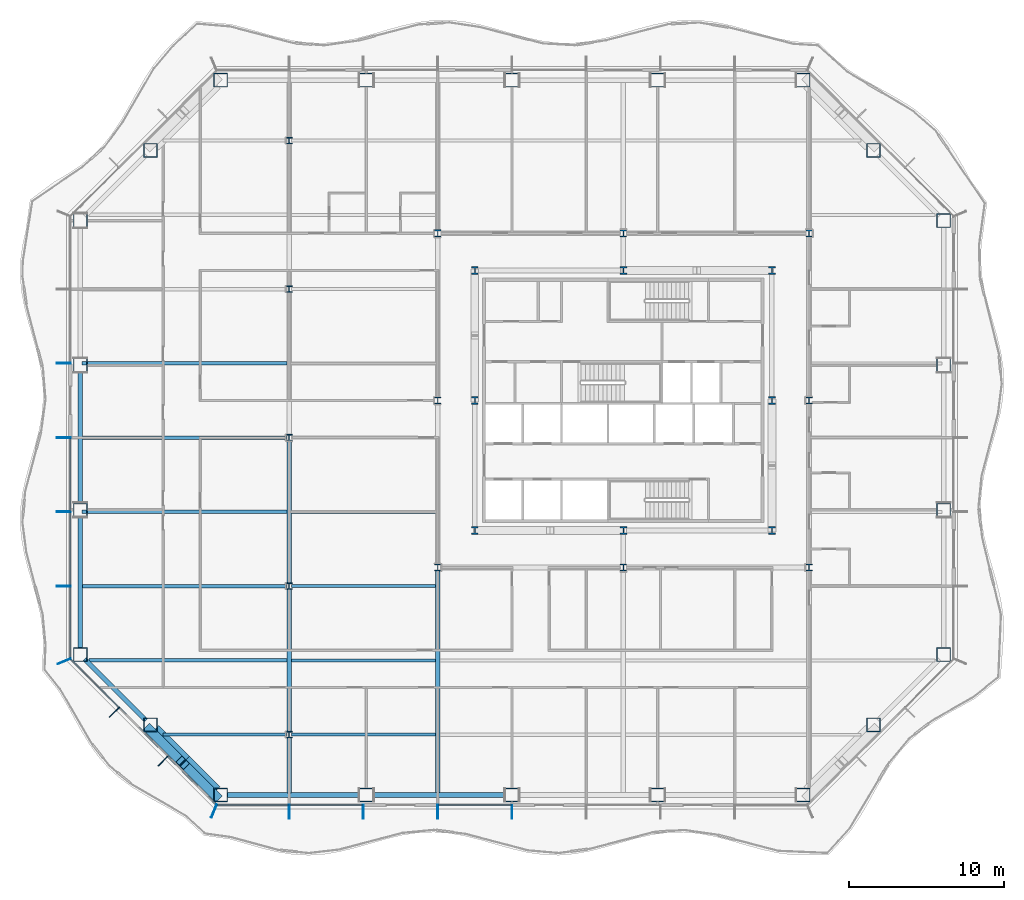
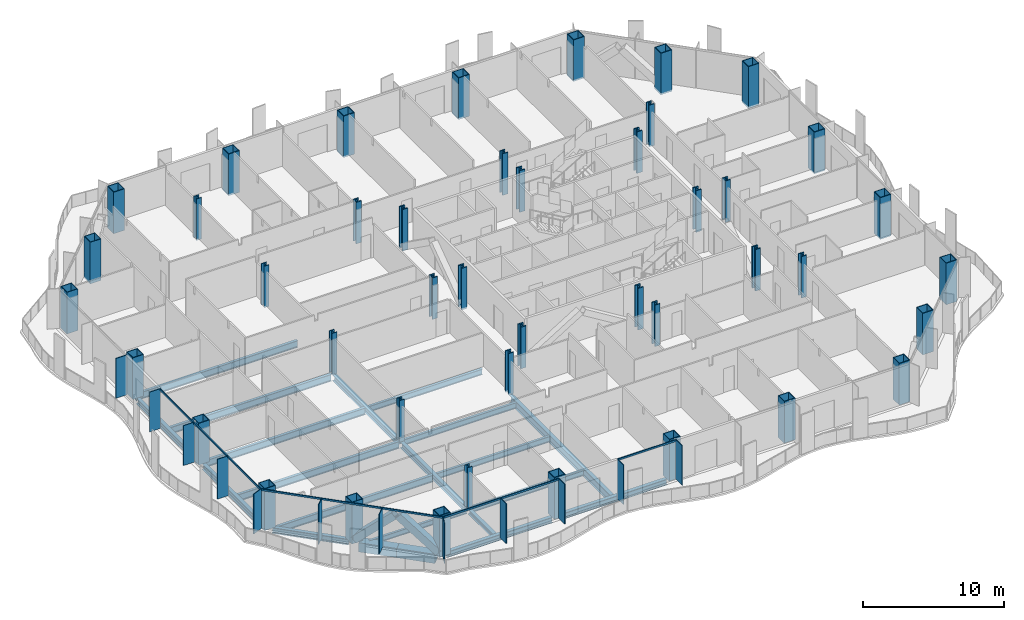
# One storey, part 1 of 21: 43 columns, 23 members, 21 beams, 3 elements without a shape of their own.
"""IFC4 building model written with IfcOpenShell, lengths in metres."""

from ifc_helpers import new_model, si_unit, direction, frame, origin, origin_2d, place, context, subcontext, project, spatial, rectangle, hollow_rectangle, i_section, extrude, material, material_profile, profile_set, type_object, element, aggregate, save


model = new_model("IFC4")

# Units and contexts
model_context = context("Model", 3, precision=1e-05, world=origin(), true_north=direction((0.0, 1.0)))
body_context = subcontext(model_context, "Body", "Model", "MODEL_VIEW")
ifc_project = project(units=[si_unit("LENGTHUNIT", "METRE"), si_unit("AREAUNIT", "SQUARE_METRE"), si_unit("VOLUMEUNIT", "CUBIC_METRE"), si_unit("PLANEANGLEUNIT", "RADIAN"), si_unit("MASSUNIT", "GRAM", prefix="KILO")], contexts=[model_context])

# Site, building, storey
site_placement = place(None, origin())
site = spatial("IfcSite", under=ifc_project, at=site_placement, CompositionType="ELEMENT")
building_placement = place(site_placement, origin())
building = spatial("IfcBuilding", under=site, at=building_placement, Name="Cairn Pilgrim Tower", CompositionType="ELEMENT")
storey_placement = place(building_placement, frame((0.0, 0.0, 69.0)))
storey = spatial("IfcBuildingStorey", under=building, at=storey_placement, Name="L15", CompositionType="ELEMENT", Elevation=69.0)

# Columns
ifc_material_1 = material(Name="Structural steel S460M", Category="steel")
ifc_material_profile_1 = material_profile(ifc_material_1, hollow_rectangle(XDim=0.89990234375, YDim=0.89990234375, WallThickness=0.050048828125, at=origin_2d()), Name="BOX 900x900x50")
ifc_profile_set_1 = profile_set([ifc_material_profile_1], Name="Structural steel S460M")
column_type_1 = type_object("IfcColumnType", Name="BOX 900x900x50", PredefinedType="COLUMN", material=ifc_profile_set_1)
for number, where, z_axis, x_axis, name in (
    (1, (-18.8271484375, -23.10009765625, -0.14990234375), (0.0, 0.0, 1.0), (1.0, 0.0, 0.0), "PC1-S1"),
    (2, (-9.41357421875, -23.10009765625, -0.14990234375), (0.0, 0.0, 1.0), (1.0, 0.0, 0.0), "PC1-S2"),
    (3, (0.0, -23.10009765625, -0.14990234375), (0.0, 0.0, 1.0), (1.0, 0.0, 0.0), "PC1-S3"),
    (4, (9.41357421875, -23.10009765625, -0.14990234375), (0.0, 0.0, 1.0), (1.0, 0.0, 0.0), "PC1-S4"),
    (5, (18.8271484375, -23.10009765625, -0.14990234375), (0.0, 0.0, 1.0), (1.0, 0.0, 0.0), "PC1-SE1"),
    (6, (23.363525390625, -18.563720703125, -0.14990234375), (0.0, 0.0, 1.0), (1.0, 0.0, 0.0), "PC1-SE2"),
    (7, (27.89990234375, -14.027099609375, -0.14990234375), (0.0, 0.0, 1.0), (1.0, 0.0, 0.0), "PC1-E1"),
    (8, (27.89990234375, -4.67578125, -0.14990234375), (0.0, 0.0, 1.0), (1.0, 0.0, 0.0), "PC1-E2"),
    (9, (27.89990234375, 4.67578125, -0.14990234375), (0.0, 0.0, 1.0), (1.0, 0.0, 0.0), "PC1-E3"),
    (10, (27.89990234375, 14.027099609375, -0.14990234375), (0.0, 0.0, 1.0), (1.0, 0.0, 0.0), "PC1-NE1"),
    (11, (23.363525390625, 18.563720703125, -0.14990234375), (0.0, 0.0, 1.0), (1.0, 0.0, 0.0), "PC1-NE2"),
    (12, (18.8271484375, 23.10009765625, -0.14990234375), (0.0, 0.0, 1.0), (1.0, 0.0, 0.0), "PC1-N1"),
    (13, (9.41357421875, 23.10009765625, -0.14990234375), (0.0, 0.0, 1.0), (1.0, 0.0, 0.0), "PC1-N2"),
    (14, (0.0, 23.10009765625, -0.14990234375), (0.0, 0.0, 1.0), (1.0, 0.0, 0.0), "PC1-N3"),
    (15, (-9.41357421875, 23.10009765625, -0.14990234375), (0.0, 0.0, 1.0), (1.0, 0.0, 0.0), "PC1-N4"),
    (16, (-18.8271484375, 23.10009765625, -0.14990234375), (0.0, 0.0, 1.0), (1.0, 0.0, 0.0), "PC1-NW1"),
    (17, (-23.363525390625, 18.563720703125, -0.14990234375), (0.0, 0.0, 1.0), (1.0, 0.0, 0.0), "PC1-NW2"),
    (18, (-27.89990234375, 14.027099609375, -0.14990234375), (0.0, 0.0, 1.0), (1.0, 0.0, 0.0), "PC1-W1"),
    (19, (-27.89990234375, 4.67578125, -0.14990234375), (0.0, 0.0, 1.0), (1.0, 0.0, 0.0), "PC1-W2"),
    (20, (-27.89990234375, -4.67578125, -0.14990234375), (0.0, 0.0, 1.0), (1.0, 0.0, 0.0), "PC1-W3"),
    (21, (-27.89990234375, -14.027099609375, -0.14990234375), (0.0, 0.0, 1.0), (1.0, 0.0, 0.0), "PC1-SW1"),
    (22, (-23.363525390625, -18.563720703125, -0.14990234375), (0.0, 0.0, 1.0), (1.0, 0.0, 0.0), "PC1-SW2"),
):
    element("IfcColumn", number, at=place(storey_placement, frame(where, z_axis=z_axis, x_axis=x_axis)), inside=storey, type_object=column_type_1, Name=name, PredefinedType="COLUMN", context=body_context, shape_type="SweptSolid", body=[
        extrude(hollow_rectangle(XDim=0.89990234375, YDim=0.89990234375, WallThickness=0.050048828125, at=origin_2d()), origin(), (0.0, 0.0, 1.0), 3.599853515625),
    ])
ifc_material_profile_2 = material_profile(ifc_material_1, i_section(OverallWidth=0.408935546875, OverallDepth=0.425048828125, WebThickness=0.03271484375, FlangeThickness=0.052490234375, FilletRadius=0.014892578125, at=origin_2d()), Name="HD 400x421")
ifc_profile_set_2 = profile_set([ifc_material_profile_2], Name="Structural steel S460M")
column_type_2 = type_object("IfcColumnType", Name="HD 400x421", PredefinedType="COLUMN", material=ifc_profile_set_2)
for number, where, z_axis, x_axis, name in (
    (23, (-14.39990234375, -19.199951171875, -0.14990234375), (0.0, 0.0, 1.0), (1.0, 0.0, 0.0), "WC-WW-4"),
    (24, (-14.39990234375, -9.60009765625, -0.14990234375), (0.0, 0.0, 1.0), (1.0, 0.0, 0.0), "WC-WW-2"),
    (25, (-14.39990234375, 0.0, -0.14990234375), (0.0, 0.0, 1.0), (1.0, 0.0, 0.0), "WC-WW+0"),
    (26, (-14.39990234375, 9.60009765625, -0.14990234375), (0.0, 0.0, 1.0), (1.0, 0.0, 0.0), "WC-WW+2"),
    (27, (-14.39990234375, 19.199951171875, -0.14990234375), (0.0, 0.0, 1.0), (1.0, 0.0, 0.0), "WC-WW+4"),
):
    element("IfcColumn", number, at=place(storey_placement, frame(where, z_axis=z_axis, x_axis=x_axis)), inside=storey, type_object=column_type_2, Name=name, PredefinedType="COLUMN", context=body_context, shape_type="SweptSolid", body=[
        extrude(i_section(OverallWidth=0.408935546875, OverallDepth=0.425048828125, WebThickness=0.03271484375, FlangeThickness=0.052490234375, FilletRadius=0.014892578125, at=origin_2d()), origin(), (0.0, 0.0, 1.0), 3.599853515625),
    ])
ifc_material_profile_3 = material_profile(ifc_material_1, i_section(OverallWidth=0.424072265625, OverallDepth=0.47412109375, WebThickness=0.047607421875, FlangeThickness=0.0771484375, FilletRadius=0.014892578125, at=origin_2d()), Name="HD 400x634")
ifc_profile_set_3 = profile_set([ifc_material_profile_3], Name="Structural steel S460M")
column_type_3 = type_object("IfcColumnType", Name="HD 400x634", PredefinedType="COLUMN", material=ifc_profile_set_3)
for number, where, z_axis, x_axis, name in (
    (28, (-4.800048828125, -8.39990234375, -0.14990234375), (0.0, 0.0, 1.0), (1.0, 0.0, 0.0), "IC-1"),
    (29, (7.199951171875, -8.39990234375, -0.14990234375), (0.0, 0.0, 1.0), (1.0, 0.0, 0.0), "IC-2"),
    (30, (19.199951171875, -8.39990234375, -0.14990234375), (0.0, 0.0, 1.0), (1.0, 0.0, 0.0), "IC-3"),
    (31, (-4.800048828125, 2.39990234375, -0.14990234375), (0.0, 0.0, 1.0), (1.0, 0.0, 0.0), "IC-4"),
    (32, (19.199951171875, 2.39990234375, -0.14990234375), (0.0, 0.0, 1.0), (1.0, 0.0, 0.0), "IC-5"),
    (33, (-4.800048828125, 13.199951171875, -0.14990234375), (0.0, 0.0, 1.0), (1.0, 0.0, 0.0), "IC-6"),
    (34, (7.199951171875, 13.199951171875, -0.14990234375), (0.0, 0.0, 1.0), (1.0, 0.0, 0.0), "IC-7"),
    (35, (19.199951171875, 13.199951171875, -0.14990234375), (0.0, 0.0, 1.0), (1.0, 0.0, 0.0), "IC-8"),
):
    element("IfcColumn", number, at=place(storey_placement, frame(where, z_axis=z_axis, x_axis=x_axis)), inside=storey, type_object=column_type_3, Name=name, PredefinedType="COLUMN", context=body_context, shape_type="SweptSolid", body=[
        extrude(i_section(OverallWidth=0.424072265625, OverallDepth=0.47412109375, WebThickness=0.047607421875, FlangeThickness=0.0771484375, FilletRadius=0.014892578125, at=origin_2d()), origin(), (0.0, 0.0, 1.0), 3.599853515625),
    ])
ifc_material_profile_4 = material_profile(ifc_material_1, i_section(OverallWidth=0.43701171875, OverallDepth=0.513916015625, WebThickness=0.060546875, FlangeThickness=0.096923828125, FilletRadius=0.014892578125, at=origin_2d()), Name="HD 400x818")
ifc_profile_set_4 = profile_set([ifc_material_profile_4], Name="Structural steel S460M")
column_type_4 = type_object("IfcColumnType", Name="HD 400x818", PredefinedType="COLUMN", material=ifc_profile_set_4)
for number, where, z_axis, x_axis, name in (
    (36, (-2.39990234375, -6.0, -0.14990234375), (0.0, 0.0, 1.0), (1.0, 0.0, 0.0), "KC-1"),
    (37, (7.199951171875, -6.0, -0.14990234375), (0.0, 0.0, 1.0), (1.0, 0.0, 0.0), "KC-2"),
    (38, (16.800048828125, -6.0, -0.14990234375), (0.0, 0.0, 1.0), (1.0, 0.0, 0.0), "KC-3"),
    (39, (-2.39990234375, 2.39990234375, -0.14990234375), (0.0, 0.0, 1.0), (1.0, 0.0, 0.0), "KC-4"),
    (40, (16.800048828125, 2.39990234375, -0.14990234375), (0.0, 0.0, 1.0), (1.0, 0.0, 0.0), "KC-5"),
    (41, (-2.39990234375, 10.800048828125, -0.14990234375), (0.0, 0.0, 1.0), (1.0, 0.0, 0.0), "KC-6"),
    (42, (7.199951171875, 10.800048828125, -0.14990234375), (0.0, 0.0, 1.0), (1.0, 0.0, 0.0), "KC-7"),
    (43, (16.800048828125, 10.800048828125, -0.14990234375), (0.0, 0.0, 1.0), (1.0, 0.0, 0.0), "KC-8"),
):
    element("IfcColumn", number, at=place(storey_placement, frame(where, z_axis=z_axis, x_axis=x_axis)), inside=storey, type_object=column_type_4, Name=name, PredefinedType="COLUMN", context=body_context, shape_type="SweptSolid", body=[
        extrude(i_section(OverallWidth=0.43701171875, OverallDepth=0.513916015625, WebThickness=0.060546875, FlangeThickness=0.096923828125, FilletRadius=0.014892578125, at=origin_2d()), origin(), (0.0, 0.0, 1.0), 3.599853515625),
    ])

# Members
ifc_material_profile_5 = material_profile(ifc_material_1, hollow_rectangle(XDim=0.60009765625, YDim=0.60009765625, WallThickness=0.034912109375, at=origin_2d()), Name="BOX 600x600x35")
ifc_profile_set_5 = profile_set([ifc_material_profile_5], Name="Structural steel S460M")
member_type_1 = type_object("IfcMemberType", Name="BOX 600x600x35 BRACE", PredefinedType="BRACE", material=ifc_profile_set_5)
for number, where, z_axis, x_axis, name in (
    (44, (-23.4873046875, -18.814697265625, 0.14990234375), (0.528939327604, -0.528877844478, 0.663710338426), (0.70706568108, 0.707147878904, 0.0), "XB-SW2-S1-1"),
    (45, (-19.078125, -23.2236328125, 0.14990234375), (-0.52892212789, 0.52892212789, 0.663688756314), (-0.707106781187, -0.707106781187, 0.0), "XB-SW2-S1-2"),
):
    element("IfcMember", number, at=place(storey_placement, frame(where, z_axis=z_axis, x_axis=x_axis)), inside=storey, type_object=member_type_1, Name=name, PredefinedType="BRACE", context=body_context, shape_type="SweptSolid", body=[
        extrude(hollow_rectangle(XDim=0.60009765625, YDim=0.60009765625, WallThickness=0.034912109375, at=origin_2d()), origin(), (0.0, 0.0, 1.0), 3.970947265625),
    ])

# Beams
ifc_material_2 = material(Name="Structural steel S355J2", Category="steel")
ifc_material_profile_6 = material_profile(ifc_material_2, hollow_rectangle(XDim=0.699951171875, YDim=0.800048828125, WallThickness=0.0400390625, at=origin_2d()), Name="BOX 700x800x40")
ifc_profile_set_6 = profile_set([ifc_material_profile_6], Name="Structural steel S355J2")
beam_type_1 = type_object("IfcBeamType", Name="BOX 700x800x40 RING GIRDER", PredefinedType="SPANDREL", material=ifc_profile_set_6)
beam_1_placement = place(storey_placement, frame((-23.0771484375, -18.85009765625, -0.550048828125), z_axis=(0.707106781187, -0.707106781187, 0.0), x_axis=(0.707106781187, 0.707106781187, 0.0)))
element("IfcBeam", 46, at=beam_1_placement, inside=storey, type_object=beam_type_1, Name="RG1-SW2-S1-1", PredefinedType="SPANDREL", context=body_context, shape_type="SweptSolid", body=[
    extrude(hollow_rectangle(XDim=0.699951171875, YDim=0.800048828125, WallThickness=0.0400390625, at=origin_2d()), origin(), (0.0, 0.0, 1.0), 2.802490234375),
])
beam_2_placement = place(storey_placement, frame((-21.095458984375, -20.831787109375, -0.550048828125), z_axis=(0.707106781187, -0.707106781187, 0.0), x_axis=(0.707106781187, 0.707106781187, 0.0)))
element("IfcBeam", 47, at=beam_2_placement, inside=storey, type_object=beam_type_1, Name="RG1-SW2-S1-2", PredefinedType="SPANDREL", context=body_context, shape_type="SweptSolid", body=[
    extrude(hollow_rectangle(XDim=0.699951171875, YDim=0.800048828125, WallThickness=0.0400390625, at=origin_2d()), origin(), (0.0, 0.0, 1.0), 2.802978515625),
])

# Curtain wall, members
ifc_material_3 = material(Name="Aluminium alloy 6063-T6 bronze anodised with Bronze tinted laminated low-E glass 8+16+8.8", Category="aluminium")
curtain_wall_type_1 = type_object("IfcCurtainWallType", Name="TOWER STICK CURTAIN WALL NS", PredefinedType="NOTDEFINED", material=ifc_material_3)
curtain_wall_1_placement = place(storey_placement, origin())
curtain_wall_1 = element("IfcCurtainWall", 48, at=curtain_wall_1_placement, inside=storey, type_object=curtain_wall_type_1, Name="Tower Stick Curtain Wall Ns S", PredefinedType="NOTDEFINED")
ifc_material_4 = material(Name="Aluminium alloy 6063-T6 bronze anodised", Category="aluminium")
ifc_material_profile_7 = material_profile(ifc_material_4, rectangle(XDim=0.89990234375, YDim=0.06005859375, at=origin_2d()), Name="FIN MULLION 60x900 BRONZE")
ifc_profile_set_7 = profile_set([ifc_material_profile_7], Name="Aluminium alloy 6063-T6 bronze anodised")
member_type_2 = type_object("IfcMemberType", Name="FIN MULLION 60x900 BRONZE", PredefinedType="MULLION", material=ifc_profile_set_7)
member_1_placement = place(storey_placement, frame((-19.257080078125, -24.137939453125, 0.0), z_axis=(0.0, 0.0, 1.0), x_axis=(-0.382683432365, -0.923879532511, 0.0)))
member_1 = element("IfcMember", 49, at=member_1_placement, type_object=member_type_2, Name="Fin mullion S1", PredefinedType="MULLION", context=body_context, shape_type="SweptSolid", body=[
    extrude(rectangle(XDim=0.89990234375, YDim=0.06005859375, at=origin_2d()), origin(), (0.0, 0.0, 1.0), 3.449951171875),
])
member_2_placement = place(storey_placement, frame((-14.39990234375, -24.169921875, 0.0), z_axis=(0.0, 0.0, 1.0), x_axis=(0.0, -1.0, 0.0)))
member_2 = element("IfcMember", 50, at=member_2_placement, type_object=member_type_2, Name="Fin mullion S2", PredefinedType="MULLION", context=body_context, shape_type="SweptSolid", body=[
    extrude(rectangle(XDim=0.89990234375, YDim=0.06005859375, at=origin_2d()), origin(), (0.0, 0.0, 1.0), 3.449951171875),
])
member_3_placement = place(storey_placement, frame((-9.60009765625, -24.169921875, 0.0), z_axis=(0.0, 0.0, 1.0), x_axis=(0.0, -1.0, 0.0)))
member_3 = element("IfcMember", 51, at=member_3_placement, type_object=member_type_2, Name="Fin mullion S3", PredefinedType="MULLION", context=body_context, shape_type="SweptSolid", body=[
    extrude(rectangle(XDim=0.89990234375, YDim=0.06005859375, at=origin_2d()), origin(), (0.0, 0.0, 1.0), 3.449951171875),
])
member_4_placement = place(storey_placement, frame((-4.800048828125, -24.169921875, 0.0), z_axis=(0.0, 0.0, 1.0), x_axis=(0.0, -1.0, 0.0)))
member_4 = element("IfcMember", 52, at=member_4_placement, type_object=member_type_2, Name="Fin mullion S4", PredefinedType="MULLION", context=body_context, shape_type="SweptSolid", body=[
    extrude(rectangle(XDim=0.89990234375, YDim=0.06005859375, at=origin_2d()), origin(), (0.0, 0.0, 1.0), 3.449951171875),
])
member_5_placement = place(storey_placement, frame((0.0, -24.169921875, 0.0), z_axis=(0.0, 0.0, 1.0), x_axis=(0.0, -1.0, 0.0)))
member_5 = element("IfcMember", 53, at=member_5_placement, type_object=member_type_2, Name="Fin mullion S5", PredefinedType="MULLION", context=body_context, shape_type="SweptSolid", body=[
    extrude(rectangle(XDim=0.89990234375, YDim=0.06005859375, at=origin_2d()), origin(), (0.0, 0.0, 1.0), 3.449951171875),
])

curtain_wall_type_2 = type_object("IfcCurtainWallType", Name="TOWER STICK CURTAIN WALL EW", PredefinedType="NOTDEFINED", material=ifc_material_3)
curtain_wall_2_placement = place(storey_placement, origin())
curtain_wall_2 = element("IfcCurtainWall", 54, at=curtain_wall_2_placement, inside=storey, type_object=curtain_wall_type_2, Name="Tower Stick Curtain Wall Ew W", PredefinedType="NOTDEFINED")
member_6_placement = place(storey_placement, frame((-28.969970703125, 4.800048828125, 0.0), z_axis=(0.0, 0.0, 1.0), x_axis=(-1.0, 0.0, 0.0)))
member_6 = element("IfcMember", 55, at=member_6_placement, type_object=member_type_2, Name="Fin mullion W3", PredefinedType="MULLION", context=body_context, shape_type="SweptSolid", body=[
    extrude(rectangle(XDim=0.89990234375, YDim=0.06005859375, at=origin_2d()), origin(), (0.0, 0.0, 1.0), 3.449951171875),
])
member_7_placement = place(storey_placement, frame((-28.969970703125, 0.0, 0.0), z_axis=(0.0, 0.0, 1.0), x_axis=(-1.0, 0.0, 0.0)))
member_7 = element("IfcMember", 56, at=member_7_placement, type_object=member_type_2, Name="Fin mullion W4", PredefinedType="MULLION", context=body_context, shape_type="SweptSolid", body=[
    extrude(rectangle(XDim=0.89990234375, YDim=0.06005859375, at=origin_2d()), origin(), (0.0, 0.0, 1.0), 3.449951171875),
])
member_8_placement = place(storey_placement, frame((-28.969970703125, -4.800048828125, 0.0), z_axis=(0.0, 0.0, 1.0), x_axis=(-1.0, 0.0, 0.0)))
member_8 = element("IfcMember", 57, at=member_8_placement, type_object=member_type_2, Name="Fin mullion W5", PredefinedType="MULLION", context=body_context, shape_type="SweptSolid", body=[
    extrude(rectangle(XDim=0.89990234375, YDim=0.06005859375, at=origin_2d()), origin(), (0.0, 0.0, 1.0), 3.449951171875),
])
member_9_placement = place(storey_placement, frame((-28.969970703125, -9.60009765625, 0.0), z_axis=(0.0, 0.0, 1.0), x_axis=(-1.0, 0.0, 0.0)))
member_9 = element("IfcMember", 58, at=member_9_placement, type_object=member_type_2, Name="Fin mullion W6", PredefinedType="MULLION", context=body_context, shape_type="SweptSolid", body=[
    extrude(rectangle(XDim=0.89990234375, YDim=0.06005859375, at=origin_2d()), origin(), (0.0, 0.0, 1.0), 3.449951171875),
])

curtain_wall_type_3 = type_object("IfcCurtainWallType", Name="CHAMFER CORNER CURTAIN WALL", PredefinedType="NOTDEFINED", material=ifc_material_3)
curtain_wall_3_placement = place(storey_placement, origin())
curtain_wall_3 = element("IfcCurtainWall", 59, at=curtain_wall_3_placement, inside=storey, type_object=curtain_wall_type_3, Name="Chamfer Corner Curtain Wall SW", PredefinedType="NOTDEFINED")
member_10_placement = place(storey_placement, frame((-28.93798828125, -14.457275390625, 0.0), z_axis=(0.0, 0.0, 1.0), x_axis=(-0.923879532511, -0.382683432365, 0.0)))
member_10 = element("IfcMember", 60, at=member_10_placement, type_object=member_type_2, Name="Fin mullion SW1", PredefinedType="MULLION", context=body_context, shape_type="SweptSolid", body=[
    extrude(rectangle(XDim=0.89990234375, YDim=0.06005859375, at=origin_2d()), origin(), (0.0, 0.0, 1.0), 3.449951171875),
])
member_11_placement = place(storey_placement, frame((-25.69580078125, -17.74462890625, 0.0), z_axis=(0.0, 0.0, 1.0), x_axis=(-0.707106781187, -0.707106781187, 0.0)))
member_11 = element("IfcMember", 61, at=member_11_placement, type_object=member_type_2, Name="Fin mullion SW2", PredefinedType="MULLION", context=body_context, shape_type="SweptSolid", body=[
    extrude(rectangle(XDim=0.89990234375, YDim=0.06005859375, at=origin_2d()), origin(), (0.0, 0.0, 1.0), 3.449951171875),
])
member_12_placement = place(storey_placement, frame((-22.544677734375, -20.895751953125, 0.0), z_axis=(0.0, 0.0, 1.0), x_axis=(-0.707106781187, -0.707106781187, 0.0)))
member_12 = element("IfcMember", 62, at=member_12_placement, type_object=member_type_2, Name="Fin mullion SW3", PredefinedType="MULLION", context=body_context, shape_type="SweptSolid", body=[
    extrude(rectangle(XDim=0.89990234375, YDim=0.06005859375, at=origin_2d()), origin(), (0.0, 0.0, 1.0), 3.449951171875),
])

# Beams
ifc_material_profile_8 = material_profile(ifc_material_2, i_section(OverallWidth=0.300048828125, OverallDepth=0.39990234375, WebThickness=0.013427734375, FlangeThickness=0.02392578125, FilletRadius=0.027099609375, at=origin_2d()), Name="HEB 400")
ifc_profile_set_8 = profile_set([ifc_material_profile_8], Name="Structural steel S355J2")
beam_type_2 = type_object("IfcBeamType", Name="HEB 400 GIRDER", PredefinedType="BEAM", material=ifc_profile_set_8)
beam_3_placement = place(storey_placement, frame((-14.39990234375, -22.97998046875, -0.35009765625), z_axis=(0.0, 1.0, 0.0), x_axis=(-1.0, 0.0, 0.0)))
element("IfcBeam", 63, at=beam_3_placement, inside=storey, type_object=beam_type_2, Name="PG1-1", PredefinedType="BEAM", context=body_context, shape_type="SweptSolid", body=[
    extrude(i_section(OverallWidth=0.300048828125, OverallDepth=0.39990234375, WebThickness=0.013427734375, FlangeThickness=0.02392578125, FilletRadius=0.027099609375, at=origin_2d()), origin(), (0.0, 0.0, 1.0), 3.575439453125),
])
ifc_material_profile_9 = material_profile(ifc_material_2, i_section(OverallWidth=0.300048828125, OverallDepth=0.5, WebThickness=0.014404296875, FlangeThickness=0.028076171875, FilletRadius=0.027099609375, at=origin_2d()), Name="HEB 500")
ifc_profile_set_9 = profile_set([ifc_material_profile_9], Name="Structural steel S355J2")
beam_type_3 = type_object("IfcBeamType", Name="HEB 500 GIRDER", PredefinedType="BEAM", material=ifc_profile_set_9)
beam_4_placement = place(storey_placement, frame((-14.39990234375, -18.99560546875, -0.39990234375), z_axis=(0.0, 1.0, 0.0), x_axis=(-1.0, 0.0, 0.0)))
element("IfcBeam", 64, at=beam_4_placement, inside=storey, type_object=beam_type_3, Name="PG1-2", PredefinedType="BEAM", context=body_context, shape_type="SweptSolid", body=[
    extrude(i_section(OverallWidth=0.300048828125, OverallDepth=0.5, WebThickness=0.014404296875, FlangeThickness=0.028076171875, FilletRadius=0.027099609375, at=origin_2d()), origin(), (0.0, 0.0, 1.0), 9.191162109375),
])
beam_5_placement = place(storey_placement, frame((-14.39990234375, -9.3955078125, -0.39990234375), z_axis=(0.0, 1.0, 0.0), x_axis=(-1.0, 0.0, 0.0)))
element("IfcBeam", 65, at=beam_5_placement, inside=storey, type_object=beam_type_3, Name="PG1-3", PredefinedType="BEAM", context=body_context, shape_type="SweptSolid", body=[
    extrude(i_section(OverallWidth=0.300048828125, OverallDepth=0.5, WebThickness=0.014404296875, FlangeThickness=0.028076171875, FilletRadius=0.027099609375, at=origin_2d()), origin(), (0.0, 0.0, 1.0), 9.19091796875),
])
ifc_material_profile_10 = material_profile(ifc_material_2, i_section(OverallWidth=0.300048828125, OverallDepth=0.5, WebThickness=0.014404296875, FlangeThickness=0.028076171875, FilletRadius=0.027099609375, at=origin_2d()), Name="HEB 500")
ifc_profile_set_10 = profile_set([ifc_material_profile_10], Name="Structural steel S355J2")
beam_type_4 = type_object("IfcBeamType", Name="HEB 500 RING GIRDER", PredefinedType="SPANDREL", material=ifc_profile_set_10)
for number, where, z_axis, x_axis, name in (
    (66, (-18.422119140625, -23.10009765625, -0.39990234375), (1.0, 0.0, 0.0), (0.0, 1.0, 0.0), "RG1-S1-S2"),
    (67, (-9.008544921875, -23.10009765625, -0.39990234375), (1.0, 0.0, 0.0), (0.0, 1.0, 0.0), "RG1-S2-S3"),
):
    element("IfcBeam", number, at=place(storey_placement, frame(where, z_axis=z_axis, x_axis=x_axis)), inside=storey, type_object=beam_type_4, Name=name, PredefinedType="SPANDREL", context=body_context, shape_type="SweptSolid", body=[
        extrude(i_section(OverallWidth=0.300048828125, OverallDepth=0.5, WebThickness=0.014404296875, FlangeThickness=0.028076171875, FilletRadius=0.027099609375, at=origin_2d()), origin(), (0.0, 0.0, 1.0), 8.603515625),
    ])
for number, where, z_axis, x_axis, name in (
    (68, (-27.89990234375, 4.270751953125, -0.39990234375), (0.0, -1.0, 0.0), (1.0, 0.0, 0.0), "RG1-W2-W3"),
    (69, (-27.89990234375, -5.080810546875, -0.39990234375), (0.0, -1.0, 0.0), (1.0, 0.0, 0.0), "RG1-W3-SW1"),
):
    element("IfcBeam", number, at=place(storey_placement, frame(where, z_axis=z_axis, x_axis=x_axis)), inside=storey, type_object=beam_type_4, Name=name, PredefinedType="SPANDREL", context=body_context, shape_type="SweptSolid", body=[
        extrude(i_section(OverallWidth=0.300048828125, OverallDepth=0.5, WebThickness=0.014404296875, FlangeThickness=0.028076171875, FilletRadius=0.027099609375, at=origin_2d()), origin(), (0.0, 0.0, 1.0), 8.54150390625),
    ])
beam_6_placement = place(storey_placement, frame((-27.613525390625, -14.313720703125, -0.39990234375), z_axis=(0.707128558756, -0.707085002947, 0.0), x_axis=(0.707085002947, 0.707128558756, 0.0)))
element("IfcBeam", 70, at=beam_6_placement, inside=storey, type_object=beam_type_4, Name="RG1-SW1-SW2", PredefinedType="SPANDREL", context=body_context, shape_type="SweptSolid", body=[
    extrude(i_section(OverallWidth=0.300048828125, OverallDepth=0.5, WebThickness=0.014404296875, FlangeThickness=0.028076171875, FilletRadius=0.027099609375, at=origin_2d()), origin(), (0.0, 0.0, 1.0), 5.605224609375),
])
ifc_material_profile_11 = material_profile(ifc_material_2, i_section(OverallWidth=0.300048828125, OverallDepth=0.699951171875, WebThickness=0.01708984375, FlangeThickness=0.031982421875, FilletRadius=0.027099609375, at=origin_2d()), Name="HEB 700")
ifc_profile_set_11 = profile_set([ifc_material_profile_11], Name="Structural steel S355J2")
beam_type_5 = type_object("IfcBeamType", Name="HEB 700 GIRDER", PredefinedType="BEAM", material=ifc_profile_set_11)
beam_7_placement = place(storey_placement, frame((-4.800048828125, -22.97998046875, -0.5), z_axis=(0.0, 1.0, 0.0), x_axis=(-1.0, 0.0, 0.0)))
element("IfcBeam", 71, at=beam_7_placement, inside=storey, type_object=beam_type_5, Name="PG2-1", PredefinedType="BEAM", context=body_context, shape_type="SweptSolid", body=[
    extrude(i_section(OverallWidth=0.300048828125, OverallDepth=0.699951171875, WebThickness=0.01708984375, FlangeThickness=0.031982421875, FilletRadius=0.027099609375, at=origin_2d()), origin(), (0.0, 0.0, 1.0), 14.367919921875),
])
ifc_material_profile_12 = material_profile(ifc_material_2, i_section(OverallWidth=0.18994140625, OverallDepth=0.449951171875, WebThickness=0.009521484375, FlangeThickness=0.0146484375, FilletRadius=0.02099609375, at=origin_2d()), Name="IPE 450")
ifc_profile_set_12 = profile_set([ifc_material_profile_12], Name="Structural steel S355J2")
beam_type_6 = type_object("IfcBeamType", Name="IPE 450 SECONDARY BEAM", PredefinedType="JOIST", material=ifc_profile_set_12)
beam_8_placement = place(storey_placement, frame((-22.545166015625, -19.199951171875, -0.375), z_axis=(1.0, 0.0, 0.0), x_axis=(0.0, 1.0, 0.0)))
element("IfcBeam", 72, at=beam_8_placement, inside=storey, type_object=beam_type_6, Name="SB1-1", PredefinedType="JOIST", context=body_context, shape_type="SweptSolid", body=[
    extrude(i_section(OverallWidth=0.18994140625, OverallDepth=0.449951171875, WebThickness=0.009521484375, FlangeThickness=0.0146484375, FilletRadius=0.02099609375, at=origin_2d()), origin(), (0.0, 0.0, 1.0), 7.9951171875),
])
ifc_material_profile_13 = material_profile(ifc_material_2, i_section(OverallWidth=0.199951171875, OverallDepth=0.5, WebThickness=0.01025390625, FlangeThickness=0.01611328125, FilletRadius=0.02099609375, at=origin_2d()), Name="IPE 500")
ifc_profile_set_13 = profile_set([ifc_material_profile_13], Name="Structural steel S355J2")
beam_type_7 = type_object("IfcBeamType", Name="IPE 500 SECONDARY BEAM", PredefinedType="JOIST", material=ifc_profile_set_13)
for number, where, z_axis, x_axis, name in (
    (73, (-14.25, -19.199951171875, -0.39990234375), (1.0, 0.0, 0.0), (0.0, 1.0, 0.0), "SB1-2"),
    (74, (-14.25, -14.39990234375, -0.39990234375), (1.0, 0.0, 0.0), (0.0, 1.0, 0.0), "SB2-2"),
    (75, (-14.25, -9.60009765625, -0.39990234375), (1.0, 0.0, 0.0), (0.0, 1.0, 0.0), "SB3-2"),
    (76, (-14.25, -4.800048828125, -0.39990234375), (1.0, 0.0, 0.0), (0.0, 1.0, 0.0), "SB4-2"),
):
    element("IfcBeam", number, at=place(storey_placement, frame(where, z_axis=z_axis, x_axis=x_axis)), inside=storey, type_object=beam_type_7, Name=name, PredefinedType="JOIST", context=body_context, shape_type="SweptSolid", body=[
        extrude(i_section(OverallWidth=0.199951171875, OverallDepth=0.5, WebThickness=0.01025390625, FlangeThickness=0.01611328125, FilletRadius=0.02099609375, at=origin_2d()), origin(), (0.0, 0.0, 1.0), 9.300048828125),
    ])
ifc_material_profile_14 = material_profile(ifc_material_2, i_section(OverallWidth=0.219970703125, OverallDepth=0.60009765625, WebThickness=0.011962890625, FlangeThickness=0.01904296875, FilletRadius=0.02392578125, at=origin_2d()), Name="IPE 600")
ifc_profile_set_14 = profile_set([ifc_material_profile_14], Name="Structural steel S355J2")
beam_type_8 = type_object("IfcBeamType", Name="IPE 600 SECONDARY BEAM", PredefinedType="JOIST", material=ifc_profile_set_14)
beam_9_placement = place(storey_placement, frame((-27.34521484375, -14.39990234375, -0.449951171875), z_axis=(1.0, 0.0, 0.0), x_axis=(0.0, 1.0, 0.0)))
element("IfcBeam", 77, at=beam_9_placement, inside=storey, type_object=beam_type_8, Name="SB2-1", PredefinedType="JOIST", context=body_context, shape_type="SweptSolid", body=[
    extrude(i_section(OverallWidth=0.219970703125, OverallDepth=0.60009765625, WebThickness=0.011962890625, FlangeThickness=0.01904296875, FilletRadius=0.02392578125, at=origin_2d()), origin(), (0.0, 0.0, 1.0), 12.795166015625),
])
for number, where, z_axis, x_axis, name in (
    (78, (-27.780029296875, -9.60009765625, -0.449951171875), (1.0, 0.0, 0.0), (0.0, 1.0, 0.0), "SB3-1"),
    (79, (-27.780029296875, -4.800048828125, -0.449951171875), (1.0, 0.0, 0.0), (0.0, 1.0, 0.0), "SB4-1"),
    (80, (-27.780029296875, 0.0, -0.449951171875), (1.0, 0.0, 0.0), (0.0, 1.0, 0.0), "SB5-1"),
    (81, (-27.780029296875, 4.800048828125, -0.449951171875), (1.0, 0.0, 0.0), (0.0, 1.0, 0.0), "SB6-1"),
):
    element("IfcBeam", number, at=place(storey_placement, frame(where, z_axis=z_axis, x_axis=x_axis)), inside=storey, type_object=beam_type_8, Name=name, PredefinedType="JOIST", context=body_context, shape_type="SweptSolid", body=[
        extrude(i_section(OverallWidth=0.219970703125, OverallDepth=0.60009765625, WebThickness=0.011962890625, FlangeThickness=0.01904296875, FilletRadius=0.02392578125, at=origin_2d()), origin(), (0.0, 0.0, 1.0), 13.22998046875),
    ])

# Member
ifc_material_profile_15 = material_profile(ifc_material_4, rectangle(XDim=0.080078125, YDim=0.14990234375, at=origin_2d()), Name="TRANSOM 80x150 BRONZE")
ifc_profile_set_15 = profile_set([ifc_material_profile_15], Name="Aluminium alloy 6063-T6 bronze anodised")
member_type_3 = type_object("IfcMemberType", Name="TRANSOM 80x150 BRONZE", PredefinedType="USERDEFINED", material=ifc_profile_set_15)
member_13_placement = place(storey_placement, frame((-19.056396484375, -23.75, 3.375), z_axis=(1.0, 0.0, 0.0), x_axis=(0.0, 1.0, 0.0)))
member_13 = element("IfcMember", 82, at=member_13_placement, type_object=member_type_3, Name="Transom S1", ObjectType="TRANSOM", PredefinedType="USERDEFINED", context=body_context, shape_type="SweptSolid", body=[
    extrude(rectangle(XDim=0.080078125, YDim=0.14990234375, at=origin_2d()), origin(), (0.0, 0.0, 1.0), 4.62646484375),
])

member_14_placement = place(storey_placement, frame((-14.3701171875, -23.75, 3.375), z_axis=(1.0, 0.0, 0.0), x_axis=(0.0, 1.0, 0.0)))
member_14 = element("IfcMember", 83, at=member_14_placement, type_object=member_type_3, Name="Transom S2", ObjectType="TRANSOM", PredefinedType="USERDEFINED", context=body_context, shape_type="SweptSolid", body=[
    extrude(rectangle(XDim=0.080078125, YDim=0.14990234375, at=origin_2d()), origin(), (0.0, 0.0, 1.0), 4.740234375),
])

member_15_placement = place(storey_placement, frame((-4.77001953125, -23.75, 3.375), z_axis=(1.0, 0.0, 0.0), x_axis=(0.0, 1.0, 0.0)))
member_15 = element("IfcMember", 84, at=member_15_placement, type_object=member_type_3, Name="Transom S4", ObjectType="TRANSOM", PredefinedType="USERDEFINED", context=body_context, shape_type="SweptSolid", body=[
    extrude(rectangle(XDim=0.080078125, YDim=0.14990234375, at=origin_2d()), origin(), (0.0, 0.0, 1.0), 4.739990234375),
])

aggregate(curtain_wall_1, [member_1, member_2, member_3, member_4, member_5, member_13, member_14, member_15])

member_16_placement = place(storey_placement, frame((-28.550048828125, -0.030029296875, 3.375), z_axis=(0.0, -1.0, 0.0), x_axis=(1.0, 0.0, 0.0)))
member_16 = element("IfcMember", 85, at=member_16_placement, type_object=member_type_3, Name="Transom W4", ObjectType="TRANSOM", PredefinedType="USERDEFINED", context=body_context, shape_type="SweptSolid", body=[
    extrude(rectangle(XDim=0.080078125, YDim=0.14990234375, at=origin_2d()), origin(), (0.0, 0.0, 1.0), 4.739990234375),
])

member_17_placement = place(storey_placement, frame((-28.550048828125, -4.830078125, 3.375), z_axis=(0.0, -1.0, 0.0), x_axis=(1.0, 0.0, 0.0)))
member_17 = element("IfcMember", 86, at=member_17_placement, type_object=member_type_3, Name="Transom W5", ObjectType="TRANSOM", PredefinedType="USERDEFINED", context=body_context, shape_type="SweptSolid", body=[
    extrude(rectangle(XDim=0.080078125, YDim=0.14990234375, at=origin_2d()), origin(), (0.0, 0.0, 1.0), 4.739990234375),
])

member_18_placement = place(storey_placement, frame((-28.550048828125, -9.6298828125, 3.375), z_axis=(0.0, -1.0, 0.0), x_axis=(1.0, 0.0, 0.0)))
member_18 = element("IfcMember", 87, at=member_18_placement, type_object=member_type_3, Name="Transom W6", ObjectType="TRANSOM", PredefinedType="USERDEFINED", context=body_context, shape_type="SweptSolid", body=[
    extrude(rectangle(XDim=0.080078125, YDim=0.14990234375, at=origin_2d()), origin(), (0.0, 0.0, 1.0), 4.62646484375),
])

aggregate(curtain_wall_2, [member_6, member_7, member_8, member_9, member_16, member_17, member_18])

member_19_placement = place(storey_placement, frame((-28.521728515625, -14.32470703125, 3.375), z_axis=(0.707106781187, -0.707106781187, 0.0), x_axis=(0.707106781187, 0.707106781187, 0.0)))
member_19 = element("IfcMember", 88, at=member_19_placement, type_object=member_type_3, Name="Transom SW1", ObjectType="TRANSOM", PredefinedType="USERDEFINED", context=body_context, shape_type="SweptSolid", body=[
    extrude(rectangle(XDim=0.080078125, YDim=0.14990234375, at=origin_2d()), origin(), (0.0, 0.0, 1.0), 4.38671875),
])

member_20_placement = place(storey_placement, frame((-25.377685546875, -17.46875, 3.375), z_axis=(0.707106781187, -0.707106781187, 0.0), x_axis=(0.707106781187, 0.707106781187, 0.0)))
member_20 = element("IfcMember", 89, at=member_20_placement, type_object=member_type_3, Name="Transom SW2", ObjectType="TRANSOM", PredefinedType="USERDEFINED", context=body_context, shape_type="SweptSolid", body=[
    extrude(rectangle(XDim=0.080078125, YDim=0.14990234375, at=origin_2d()), origin(), (0.0, 0.0, 1.0), 4.396728515625),
])

member_21_placement = place(storey_placement, frame((-22.226318359375, -20.6201171875, 3.375), z_axis=(0.707106781187, -0.707106781187, 0.0), x_axis=(0.707106781187, 0.707106781187, 0.0)))
member_21 = element("IfcMember", 90, at=member_21_placement, type_object=member_type_3, Name="Transom SW3", ObjectType="TRANSOM", PredefinedType="USERDEFINED", context=body_context, shape_type="SweptSolid", body=[
    extrude(rectangle(XDim=0.080078125, YDim=0.14990234375, at=origin_2d()), origin(), (0.0, 0.0, 1.0), 4.38623046875),
])

aggregate(curtain_wall_3, [member_10, member_11, member_12, member_19, member_20, member_21])

save(model, "model.ifc")
